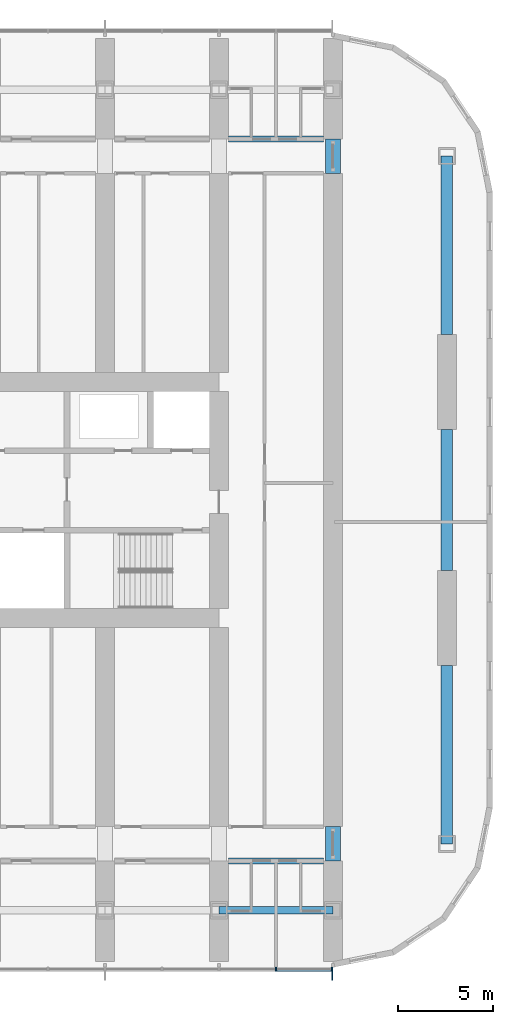
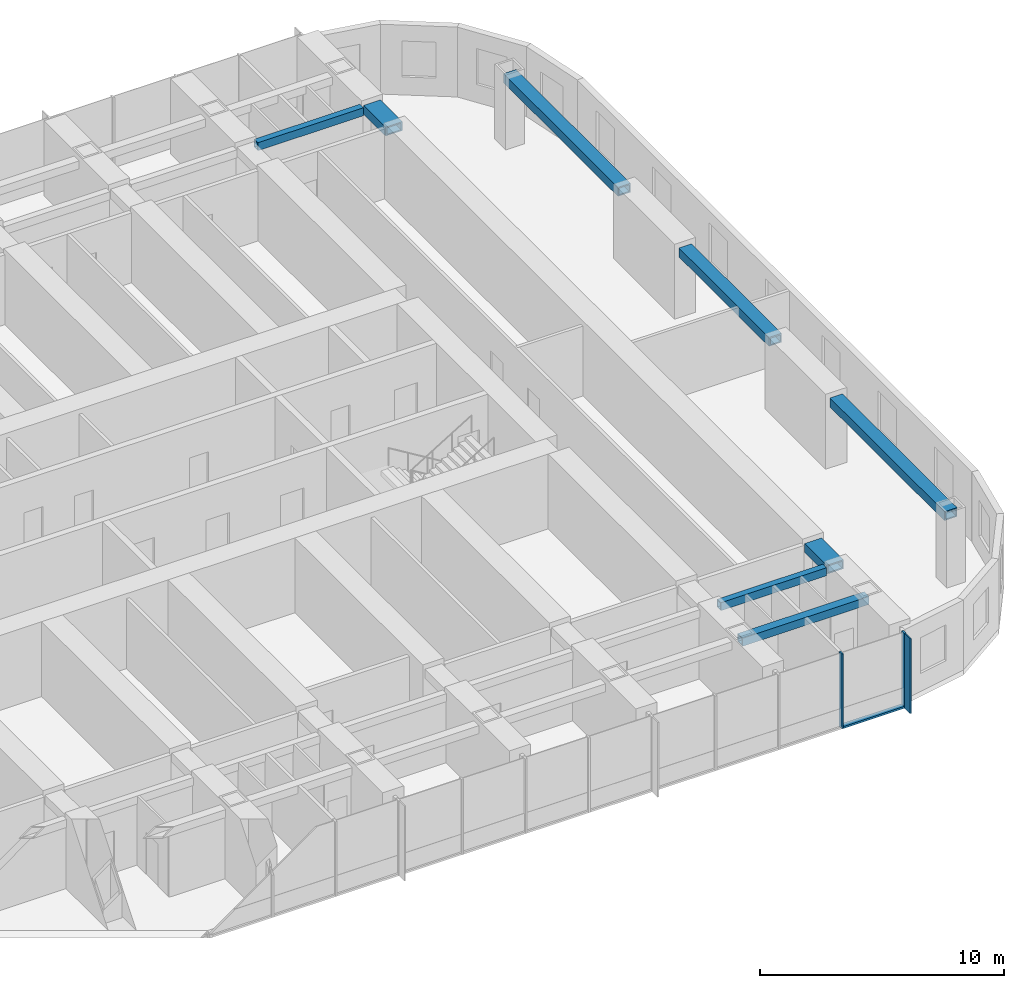
# One storey, part 6 of 23: 8 beams, 4 members, 1 element without a shape of its own.
"""IFC4 building model written with IfcOpenShell, lengths in metres."""

from ifc_helpers import new_model, si_unit, direction, frame, origin, origin_2d, place, context, subcontext, project, spatial, rectangle, hollow_rectangle, extrude, material, material_profile, profile_set, type_object, element, aggregate, save


model = new_model("IFC4")

# Units and contexts
model_context = context("Model", 3, precision=1e-05, world=origin(), true_north=direction((0.0, 1.0)))
body_context = subcontext(model_context, "Body", "Model", "MODEL_VIEW")
ifc_project = project(units=[si_unit("LENGTHUNIT", "METRE"), si_unit("AREAUNIT", "SQUARE_METRE"), si_unit("VOLUMEUNIT", "CUBIC_METRE"), si_unit("PLANEANGLEUNIT", "RADIAN"), si_unit("MASSUNIT", "GRAM", prefix="KILO")], contexts=[model_context])

# Site, building, storey
site_placement = place(None, origin())
site = spatial("IfcSite", under=ifc_project, at=site_placement, CompositionType="ELEMENT")
building_placement = place(site_placement, origin())
building = spatial("IfcBuilding", under=site, at=building_placement, Name="Orbita Commons", CompositionType="ELEMENT")
storey_placement = place(building_placement, frame((0.0, 0.0, 61.449951171875)))
storey = spatial("IfcBuildingStorey", under=building, at=storey_placement, Name="L15", CompositionType="ELEMENT", Elevation=61.449951171875)

# Curtain wall, members
ifc_material_1 = material(Name="Anodised aluminium frame, pale silver", Category="aluminium")
curtain_wall_type = type_object("IfcCurtainWallType", Name="Unitised curtain wall CW-T, vision and spandrel", PredefinedType="NOTDEFINED", material=ifc_material_1)
curtain_wall_placement = place(storey_placement, origin())
curtain_wall = element("IfcCurtainWall", 1, at=curtain_wall_placement, inside=storey, type_object=curtain_wall_type, Name="Curtain wall south L15", PredefinedType="NOTDEFINED")
ifc_material_2 = material(Name="Anodised aluminium, pale silver", Category="aluminium")
ifc_material_profile_1 = material_profile(ifc_material_2, rectangle(XDim=0.080078125, YDim=0.219970703125, at=origin_2d()), Name="AL 80x220")
ifc_profile_set_1 = profile_set([ifc_material_profile_1], Name="Anodised aluminium, pale silver")
member_type_1 = type_object("IfcMemberType", Name="Curtain wall mullion 80x220", PredefinedType="MULLION", material=ifc_profile_set_1)
member_1_placement = place(storey_placement, frame((69.0, 7.2900390625, -0.25), z_axis=(0.0, 0.0, 1.0), x_axis=(1.0, 0.0, 0.0)))
member_1 = element("IfcMember", 2, at=member_1_placement, type_object=member_type_1, Name="Mullion 20 CW-L15-S", PredefinedType="MULLION", context=body_context, shape_type="SweptSolid", body=[
    extrude(rectangle(XDim=0.080078125, YDim=0.219970703125, at=origin_2d()), origin(), (0.0, 0.0, 1.0), 3.75),
])
member_2_placement = place(storey_placement, frame((71.9599609375, 7.2900390625, -0.25), z_axis=(0.0, 0.0, 1.0), x_axis=(1.0, 0.0, 0.0)))
member_2 = element("IfcMember", 3, at=member_2_placement, type_object=member_type_1, Name="Mullion 21 CW-L15-S", PredefinedType="MULLION", context=body_context, shape_type="SweptSolid", body=[
    extrude(rectangle(XDim=0.080078125, YDim=0.219970703125, at=origin_2d()), origin(), (0.0, 0.0, 1.0), 3.75),
])
ifc_material_3 = material(Name="Anodised aluminium, pale silver", Category="aluminium")
ifc_material_profile_2 = material_profile(ifc_material_3, rectangle(XDim=0.219970703125, YDim=0.10009765625, at=origin_2d()), Name="AL 220x100")
ifc_profile_set_2 = profile_set([ifc_material_profile_2], Name="Anodised aluminium, pale silver")
member_type_2 = type_object("IfcMemberType", Name="Curtain wall stack transom 220x100", PredefinedType="USERDEFINED", material=ifc_profile_set_2)
member_3_placement = place(storey_placement, frame((69.0400390625, 7.2900390625, -0.199951171875), z_axis=(1.0, 0.0, 0.0), x_axis=(0.0, 1.0, 0.0)))
member_3 = element("IfcMember", 4, at=member_3_placement, type_object=member_type_2, Name="Transom 20.1 CW-L15-S", ObjectType="TRANSOM", PredefinedType="USERDEFINED", context=body_context, shape_type="SweptSolid", body=[
    extrude(rectangle(XDim=0.219970703125, YDim=0.10009765625, at=origin_2d()), origin(), (0.0, 0.0, 1.0), 2.8798828125),
])

# Beams
ifc_material_4 = material(Name="Steel ASTM A572 Gr 50 welded plate", Category="steel")
ifc_material_profile_3 = material_profile(ifc_material_4, hollow_rectangle(XDim=0.300048828125, YDim=0.39990234375, WallThickness=0.0400390625, at=origin_2d()), Name="BOX 400x300x40")
ifc_profile_set_3 = profile_set([ifc_material_profile_3], Name="Steel ASTM A572 Gr 50 welded plate")
beam_type_1 = type_object("IfcBeamType", Name="Steel corridor link BOX 400x300x40", PredefinedType="BEAM", material=ifc_profile_set_3)
for number, where, z_axis, x_axis, name in (
    (5, (66.5, 13.0, 3.300048828125), (1.0, 0.0, 0.0), (0.0, 1.0, 0.0), "Corridor beam SA 12-13 L15"),
    (6, (66.5, 51.0, 3.300048828125), (1.0, 0.0, 0.0), (0.0, 1.0, 0.0), "Corridor beam NB 12-13 L15"),
):
    element("IfcBeam", number, at=place(storey_placement, frame(where, z_axis=z_axis, x_axis=x_axis)), inside=storey, type_object=beam_type_1, Name=name, PredefinedType="BEAM", context=body_context, shape_type="SweptSolid", body=[
        extrude(hollow_rectangle(XDim=0.300048828125, YDim=0.39990234375, WallThickness=0.0400390625, at=origin_2d()), origin(), (0.0, 0.0, 1.0), 5.0),
    ])
ifc_material_5 = material(Name="Steel ASTM A572 Gr 50 welded plate", Category="steel")
ifc_material_profile_4 = material_profile(ifc_material_5, hollow_rectangle(XDim=0.800048828125, YDim=0.449951171875, WallThickness=0.06005859375, at=origin_2d()), Name="BOX 450x800x60")
ifc_profile_set_4 = profile_set([ifc_material_profile_4], Name="Steel ASTM A572 Gr 50 welded plate")
beam_type_2 = type_object("IfcBeamType", Name="Steel coupling link BOX 450x800x60", PredefinedType="LINTEL", material=ifc_profile_set_4)
for number, where, z_axis, x_axis, name in (
    (7, (72.0, 13.0, 3.275146484375), (0.0, 1.0, 0.0), (-1.0, 0.0, 0.0), "Coupling beam 13 south L15"),
    (8, (72.0, 49.199951171875, 3.275146484375), (0.0, 1.0, 0.0), (-1.0, 0.0, 0.0), "Coupling beam 13 north L15"),
):
    element("IfcBeam", number, at=place(storey_placement, frame(where, z_axis=z_axis, x_axis=x_axis)), inside=storey, type_object=beam_type_2, Name=name, PredefinedType="LINTEL", context=body_context, shape_type="SweptSolid", body=[
        extrude(hollow_rectangle(XDim=0.800048828125, YDim=0.449951171875, WallThickness=0.06005859375, at=origin_2d()), origin(), (0.0, 0.0, 1.0), 1.800048828125),
    ])
ifc_material_6 = material(Name="Steel ASTM A572 Gr 50 welded plate", Category="steel")
ifc_material_profile_5 = material_profile(ifc_material_6, hollow_rectangle(XDim=0.60009765625, YDim=0.449951171875, WallThickness=0.06005859375, at=origin_2d()), Name="BOX 450x600x60")
ifc_profile_set_5 = profile_set([ifc_material_profile_5], Name="Steel ASTM A572 Gr 50 welded plate")
beam_type_3 = type_object("IfcBeamType", Name="Steel end frame link BOX 450x600x60", PredefinedType="BEAM", material=ifc_profile_set_5)
beam_1_placement = place(storey_placement, frame((78.0, 13.89990234375, 3.275146484375), z_axis=(0.0, 1.0, 0.0), x_axis=(-1.0, 0.0, 0.0)))
element("IfcBeam", 9, at=beam_1_placement, inside=storey, type_object=beam_type_3, Name="End frame beam 14 B-C L15", PredefinedType="BEAM", context=body_context, shape_type="SweptSolid", body=[
    extrude(hollow_rectangle(XDim=0.60009765625, YDim=0.449951171875, WallThickness=0.06005859375, at=origin_2d()), origin(), (0.0, 0.0, 1.0), 9.400146484375),
])
beam_2_placement = place(storey_placement, frame((78.0, 28.300048828125, 3.275146484375), z_axis=(0.0, 1.0, 0.0), x_axis=(-1.0, 0.0, 0.0)))
element("IfcBeam", 10, at=beam_2_placement, inside=storey, type_object=beam_type_3, Name="End frame beam 14 C-D L15", PredefinedType="BEAM", context=body_context, shape_type="SweptSolid", body=[
    extrude(hollow_rectangle(XDim=0.60009765625, YDim=0.449951171875, WallThickness=0.06005859375, at=origin_2d()), origin(), (0.0, 0.0, 1.0), 7.39990234375),
])
beam_3_placement = place(storey_placement, frame((78.0, 40.699951171875, 3.275146484375), z_axis=(0.0, 1.0, 0.0), x_axis=(-1.0, 0.0, 0.0)))
element("IfcBeam", 11, at=beam_3_placement, inside=storey, type_object=beam_type_3, Name="End frame beam 14 D-E L15", PredefinedType="BEAM", context=body_context, shape_type="SweptSolid", body=[
    extrude(hollow_rectangle(XDim=0.60009765625, YDim=0.449951171875, WallThickness=0.06005859375, at=origin_2d()), origin(), (0.0, 0.0, 1.0), 9.400146484375),
])
ifc_material_7 = material(Name="Steel ASTM A572 Gr 50 welded plate", Category="steel")
ifc_material_profile_6 = material_profile(ifc_material_7, hollow_rectangle(XDim=0.39990234375, YDim=0.39990234375, WallThickness=0.0400390625, at=origin_2d()), Name="BOX 400x400x40")
ifc_profile_set_6 = profile_set([ifc_material_profile_6], Name="Steel ASTM A572 Gr 50 welded plate")
beam_type_4 = type_object("IfcBeamType", Name="Steel spandrel BOX 400x400x40", PredefinedType="SPANDREL", material=ifc_profile_set_6)
beam_4_placement = place(storey_placement, frame((66.0, 10.39990234375, 3.300048828125), z_axis=(1.0, 0.0, 0.0), x_axis=(0.0, 1.0, 0.0)))
element("IfcBeam", 12, at=beam_4_placement, inside=storey, type_object=beam_type_4, Name="Spandrel beam B 12-13 L15", PredefinedType="SPANDREL", context=body_context, shape_type="SweptSolid", body=[
    extrude(hollow_rectangle(XDim=0.39990234375, YDim=0.39990234375, WallThickness=0.0400390625, at=origin_2d()), origin(), (0.0, 0.0, 1.0), 6.0),
])

# Member
ifc_material_8 = material(Name="Anodised aluminium, pale silver", Category="aluminium")
ifc_material_profile_7 = material_profile(ifc_material_8, rectangle(XDim=0.06005859375, YDim=0.449951171875, at=origin_2d()), Name="FIN 60x450")
ifc_profile_set_7 = profile_set([ifc_material_profile_7], Name="Anodised aluminium, pale silver")
member_type_3 = type_object("IfcMemberType", Name="Vertical fin 60x450 pale aluminium", PredefinedType="USERDEFINED", material=ifc_profile_set_7)
member_4_placement = place(storey_placement, frame((71.9599609375, 6.955078125, -0.25), z_axis=(0.0, 0.0, 1.0), x_axis=(1.0, 0.0, 0.0)))
member_4 = element("IfcMember", 13, at=member_4_placement, type_object=member_type_3, Name="Fin 21 CW-L15-S", ObjectType="FIN", PredefinedType="USERDEFINED", context=body_context, shape_type="SweptSolid", body=[
    extrude(rectangle(XDim=0.06005859375, YDim=0.449951171875, at=origin_2d()), origin(), (0.0, 0.0, 1.0), 3.75),
])

aggregate(curtain_wall, [member_1, member_2, member_4, member_3])

save(model, "model.ifc")
